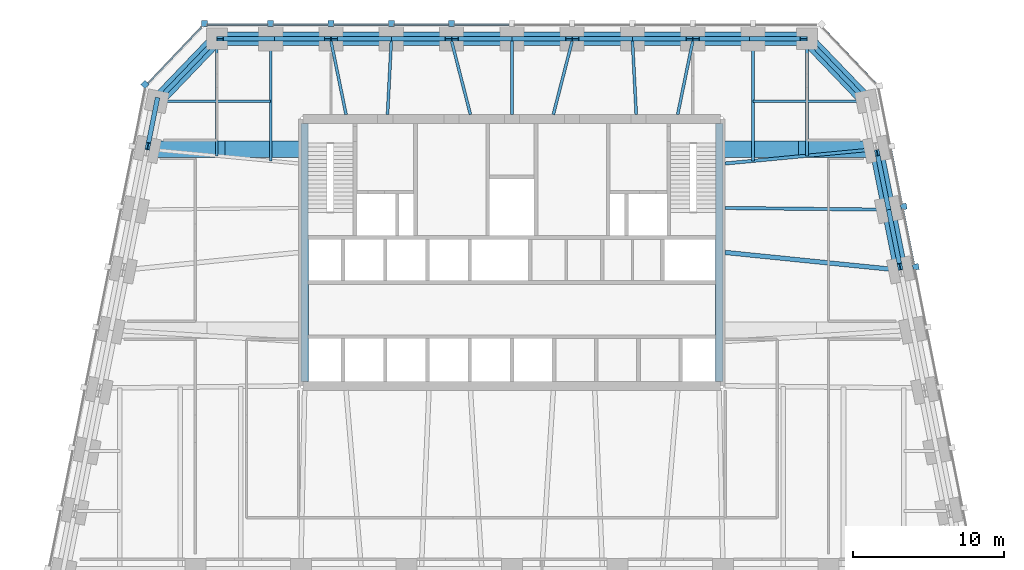
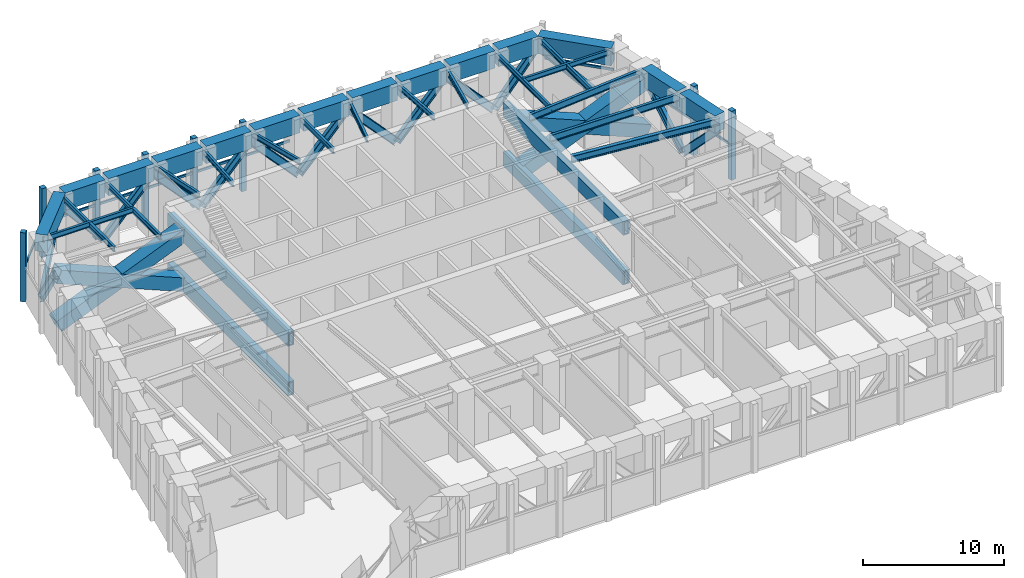
# One storey, part 4 of 9: 36 members, 34 beams, 4 elements without a shape of their own.
"""IFC4 building model written with IfcOpenShell, lengths in metres."""

from ifc_helpers import new_model, si_unit, direction, frame, origin, origin_2d, place, context, subcontext, project, spatial, rectangle, hollow_rectangle, i_section, extrude, material, material_profile, profile_set, type_object, element, aggregate, save


model = new_model("IFC4")

# Units and contexts
model_context = context("Model", 3, precision=1e-05, world=origin(), true_north=direction((0.0, 1.0)))
body_context = subcontext(model_context, "Body", "Model", "MODEL_VIEW")
ifc_project = project(units=[si_unit("LENGTHUNIT", "METRE"), si_unit("AREAUNIT", "SQUARE_METRE"), si_unit("VOLUMEUNIT", "CUBIC_METRE"), si_unit("PLANEANGLEUNIT", "RADIAN"), si_unit("MASSUNIT", "GRAM", prefix="KILO")], contexts=[model_context])

# Site, building, storey
site_placement = place(None, origin())
site = spatial("IfcSite", under=ifc_project, at=site_placement, CompositionType="ELEMENT")
building_placement = place(site_placement, origin())
building = spatial("IfcBuilding", under=site, at=building_placement, Name="Isbrekke Arena Tower", CompositionType="ELEMENT")
storey_placement = place(building_placement, frame((0.0, 0.0, 242.0)))
storey = spatial("IfcBuildingStorey", under=building, at=storey_placement, Name="L56", CompositionType="ELEMENT", Elevation=242.0)

# Beams
ifc_material_1 = material(Name="Steel S355", Category="steel")
ifc_material_profile_1 = material_profile(ifc_material_1, i_section(OverallWidth=0.219970703125, OverallDepth=0.60009765625, WebThickness=0.011962890625, FlangeThickness=0.01904296875, FilletRadius=0.02392578125, at=origin_2d()), Name="IPE 600")
ifc_profile_set_1 = profile_set([ifc_material_profile_1], Name="Steel S355")
beam_type_1 = type_object("IfcBeamType", Name="B1 IPE 600", PredefinedType="BEAM", material=ifc_profile_set_1)
beam_1_placement = place(storey_placement, frame((24.83984375, 17.838134765625, 5.550048828125), z_axis=(-0.999945299061, 0.010459392202, 0.0), x_axis=(-0.010459392202, -0.999945299061, 0.0)))
element("IfcBeam", 1, at=beam_1_placement, inside=storey, type_object=beam_type_1, Name="B1 beam E-E09 L56", PredefinedType="BEAM", context=body_context, shape_type="SweptSolid", body=[
    extrude(i_section(OverallWidth=0.219970703125, OverallDepth=0.60009765625, WebThickness=0.011962890625, FlangeThickness=0.01904296875, FilletRadius=0.02392578125, at=origin_2d()), origin(), (0.0, 0.0, 1.0), 10.6904296875),
])
beam_2_placement = place(storey_placement, frame((24.03076171875, 21.837158203125, 5.550048828125), z_axis=(-0.99553133081, -0.094431823952, 0.0), x_axis=(0.094431823952, -0.99553133081, 0.0)))
element("IfcBeam", 2, at=beam_2_placement, inside=storey, type_object=beam_type_1, Name="B1 beam E-E10 L56", PredefinedType="BEAM", context=body_context, shape_type="SweptSolid", body=[
    extrude(i_section(OverallWidth=0.219970703125, OverallDepth=0.60009765625, WebThickness=0.011962890625, FlangeThickness=0.01904296875, FilletRadius=0.02392578125, at=origin_2d()), origin(), (0.0, 0.0, 1.0), 9.92529296875),
])
ifc_material_2 = material(Name="Steel S355", Category="steel")
ifc_material_profile_2 = material_profile(ifc_material_2, i_section(OverallWidth=0.18994140625, OverallDepth=0.449951171875, WebThickness=0.009521484375, FlangeThickness=0.0146484375, FilletRadius=0.02099609375, at=origin_2d()), Name="IPE 450")
ifc_profile_set_2 = profile_set([ifc_material_profile_2], Name="Steel S355")
beam_type_2 = type_object("IfcBeamType", Name="B2 IPE 450", PredefinedType="BEAM", material=ifc_profile_set_2)
for number, where, z_axis, x_axis, name in (
    (3, (23.40283203125, 25.029296875, 5.625), (-1.0, 0.0, 0.0), (0.0, -1.0, 0.0), "B2 beam E-E11 L56"),
    (4, (-23.40283203125, 25.029296875, 5.625), (1.0, 0.0, 0.0), (0.0, 1.0, 0.0), "B2 beam E-W01 L56"),
):
    element("IfcBeam", number, at=place(storey_placement, frame(where, z_axis=z_axis, x_axis=x_axis)), inside=storey, type_object=beam_type_2, Name=name, PredefinedType="BEAM", context=body_context, shape_type="SweptSolid", body=[
        extrude(i_section(OverallWidth=0.18994140625, OverallDepth=0.449951171875, WebThickness=0.009521484375, FlangeThickness=0.0146484375, FilletRadius=0.02099609375, at=origin_2d()), origin(), (0.0, 0.0, 1.0), 7.40283203125),
    ])
ifc_material_3 = material(Name="Steel S355", Category="steel")
ifc_material_profile_3 = material_profile(ifc_material_3, i_section(OverallWidth=0.18994140625, OverallDepth=0.449951171875, WebThickness=0.009521484375, FlangeThickness=0.0146484375, FilletRadius=0.02099609375, at=origin_2d()), Name="IPE 450")
ifc_profile_set_3 = profile_set([ifc_material_profile_3], Name="Steel S355")
beam_type_3 = type_object("IfcBeamType", Name="B3 IPE 450", PredefinedType="BEAM", material=ifc_profile_set_3)
beam_3_placement = place(storey_placement, frame((19.574951171875, 29.02490234375, 5.625), z_axis=(0.0, -1.0, 0.0), x_axis=(1.0, 0.0, 0.0)))
element("IfcBeam", 5, at=beam_3_placement, inside=storey, type_object=beam_type_3, Name="B3 beam N-N01 L56", PredefinedType="BEAM", context=body_context, shape_type="SweptSolid", body=[
    extrude(i_section(OverallWidth=0.18994140625, OverallDepth=0.449951171875, WebThickness=0.009521484375, FlangeThickness=0.0146484375, FilletRadius=0.02099609375, at=origin_2d()), origin(), (0.0, 0.0, 1.0), 7.6103515625),
])
for number, where, z_axis, x_axis, name in (
    (6, (16.0, 29.02490234375, 5.625), (0.0, -1.0, 0.0), (1.0, 0.0, 0.0), "B3 beam N-N02 L56"),
    (7, (-16.0, 29.02490234375, 5.625), (0.0, -1.0, 0.0), (1.0, 0.0, 0.0), "B3 beam N-N10 L56"),
):
    element("IfcBeam", number, at=place(storey_placement, frame(where, z_axis=z_axis, x_axis=x_axis)), inside=storey, type_object=beam_type_3, Name=name, PredefinedType="BEAM", context=body_context, shape_type="SweptSolid", body=[
        extrude(i_section(OverallWidth=0.18994140625, OverallDepth=0.449951171875, WebThickness=0.009521484375, FlangeThickness=0.0146484375, FilletRadius=0.02099609375, at=origin_2d()), origin(), (0.0, 0.0, 1.0), 7.949462890625),
    ])
beam_4_placement = place(storey_placement, frame((-19.574951171875, 29.02490234375, 5.625), z_axis=(0.0, -1.0, 0.0), x_axis=(1.0, 0.0, 0.0)))
element("IfcBeam", 8, at=beam_4_placement, inside=storey, type_object=beam_type_3, Name="B3 beam N-N11 L56", PredefinedType="BEAM", context=body_context, shape_type="SweptSolid", body=[
    extrude(i_section(OverallWidth=0.18994140625, OverallDepth=0.449951171875, WebThickness=0.009521484375, FlangeThickness=0.0146484375, FilletRadius=0.02099609375, at=origin_2d()), origin(), (0.0, 0.0, 1.0), 7.6103515625),
])
beam_5_placement = place(storey_placement, frame((11.99609375, 29.00634765625, 5.625), z_axis=(-0.200924755878, -0.979606677435, 0.0), x_axis=(0.979606677435, -0.200924755878, 0.0)))
element("IfcBeam", 9, at=beam_5_placement, inside=storey, type_object=beam_type_3, Name="B3 beam N-N03 L56", PredefinedType="BEAM", context=body_context, shape_type="SweptSolid", body=[
    extrude(i_section(OverallWidth=0.18994140625, OverallDepth=0.449951171875, WebThickness=0.009521484375, FlangeThickness=0.0146484375, FilletRadius=0.02099609375, at=origin_2d()), origin(), (0.0, 0.0, 1.0), 4.95751953125),
])
beam_6_placement = place(storey_placement, frame((8.000244140625, 29.02001953125, 5.625), z_axis=(0.051216032312, -0.998687597817, 0.0), x_axis=(0.998687597817, 0.051216032312, 0.0)))
element("IfcBeam", 10, at=beam_6_placement, inside=storey, type_object=beam_type_3, Name="B3 beam N-N04 L56", PredefinedType="BEAM", context=body_context, shape_type="SweptSolid", body=[
    extrude(i_section(OverallWidth=0.18994140625, OverallDepth=0.449951171875, WebThickness=0.009521484375, FlangeThickness=0.0146484375, FilletRadius=0.02099609375, at=origin_2d()), origin(), (0.0, 0.0, 1.0), 4.87646484375),
])
beam_7_placement = place(storey_placement, frame((3.994140625, 29.002197265625, 5.625), z_axis=(-0.248368314686, -0.968665670012, 0.0), x_axis=(0.968665670012, -0.248368314686, 0.0)))
element("IfcBeam", 11, at=beam_7_placement, inside=storey, type_object=beam_type_3, Name="B3 beam N-N05 L56", PredefinedType="BEAM", context=body_context, shape_type="SweptSolid", body=[
    extrude(i_section(OverallWidth=0.18994140625, OverallDepth=0.449951171875, WebThickness=0.009521484375, FlangeThickness=0.0146484375, FilletRadius=0.02099609375, at=origin_2d()), origin(), (0.0, 0.0, 1.0), 5.00927734375),
])
beam_8_placement = place(storey_placement, frame((0.0, 29.02490234375, 5.625), z_axis=(0.0, -1.0, 0.0), x_axis=(1.0, 0.0, 0.0)))
element("IfcBeam", 12, at=beam_8_placement, inside=storey, type_object=beam_type_3, Name="B3 beam N-N06 L56", PredefinedType="BEAM", context=body_context, shape_type="SweptSolid", body=[
    extrude(i_section(OverallWidth=0.18994140625, OverallDepth=0.449951171875, WebThickness=0.009521484375, FlangeThickness=0.0146484375, FilletRadius=0.02099609375, at=origin_2d()), origin(), (0.0, 0.0, 1.0), 4.875),
])
beam_9_placement = place(storey_placement, frame((-3.994140625, 29.002197265625, 5.625), z_axis=(0.248368314686, -0.968665670012, 0.0), x_axis=(0.968665670012, 0.248368314686, 0.0)))
element("IfcBeam", 13, at=beam_9_placement, inside=storey, type_object=beam_type_3, Name="B3 beam N-N07 L56", PredefinedType="BEAM", context=body_context, shape_type="SweptSolid", body=[
    extrude(i_section(OverallWidth=0.18994140625, OverallDepth=0.449951171875, WebThickness=0.009521484375, FlangeThickness=0.0146484375, FilletRadius=0.02099609375, at=origin_2d()), origin(), (0.0, 0.0, 1.0), 5.00927734375),
])
beam_10_placement = place(storey_placement, frame((-8.000244140625, 29.02001953125, 5.625), z_axis=(-0.051216032312, -0.998687597817, 0.0), x_axis=(0.998687597817, -0.051216032312, 0.0)))
element("IfcBeam", 14, at=beam_10_placement, inside=storey, type_object=beam_type_3, Name="B3 beam N-N08 L56", PredefinedType="BEAM", context=body_context, shape_type="SweptSolid", body=[
    extrude(i_section(OverallWidth=0.18994140625, OverallDepth=0.449951171875, WebThickness=0.009521484375, FlangeThickness=0.0146484375, FilletRadius=0.02099609375, at=origin_2d()), origin(), (0.0, 0.0, 1.0), 4.87646484375),
])
beam_11_placement = place(storey_placement, frame((-11.99609375, 29.00634765625, 5.625), z_axis=(0.200924755878, -0.979606677435, 0.0), x_axis=(0.979606677435, 0.200924755878, 0.0)))
element("IfcBeam", 15, at=beam_11_placement, inside=storey, type_object=beam_type_3, Name="B3 beam N-N09 L56", PredefinedType="BEAM", context=body_context, shape_type="SweptSolid", body=[
    extrude(i_section(OverallWidth=0.18994140625, OverallDepth=0.449951171875, WebThickness=0.009521484375, FlangeThickness=0.0146484375, FilletRadius=0.02099609375, at=origin_2d()), origin(), (0.0, 0.0, 1.0), 4.95751953125),
])
ifc_material_4 = material(Name="Steel S355", Category="steel")
ifc_material_profile_4 = material_profile(ifc_material_4, i_section(OverallWidth=0.300048828125, OverallDepth=0.60009765625, WebThickness=0.015380859375, FlangeThickness=0.030029296875, FilletRadius=0.027099609375, at=origin_2d()), Name="HEB 600")
ifc_profile_set_4 = profile_set([ifc_material_profile_4], Name="Steel S355")
beam_type_4 = type_object("IfcBeamType", Name="B7 HEB 600", PredefinedType="BEAM", material=ifc_profile_set_4)
beam_12_placement = place(storey_placement, frame((25.6259765625, 13.83984375, 5.550048828125), z_axis=(-0.994928891111, 0.100580821396, 0.0), x_axis=(-0.100580821396, -0.994928891111, 0.0)))
element("IfcBeam", 16, at=beam_12_placement, inside=storey, type_object=beam_type_4, Name="B7 beam E-E08 L56", PredefinedType="BEAM", context=body_context, shape_type="SweptSolid", body=[
    extrude(i_section(OverallWidth=0.300048828125, OverallDepth=0.60009765625, WebThickness=0.015380859375, FlangeThickness=0.030029296875, FilletRadius=0.027099609375, at=origin_2d()), origin(), (0.0, 0.0, 1.0), 11.53466796875),
])

# Members
ifc_material_5 = material(Name="Steel S355", Category="steel")
ifc_material_profile_5 = material_profile(ifc_material_5, i_section(OverallWidth=0.304931640625, OverallDepth=0.6201171875, WebThickness=0.02099609375, FlangeThickness=0.0400390625, FilletRadius=0.027099609375, at=origin_2d()), Name="HEM 600")
ifc_profile_set_5 = profile_set([ifc_material_profile_5], Name="Steel S355")
member_type_1 = type_object("IfcMemberType", Name="BT1 HEM 600", PredefinedType="BRACE", material=ifc_profile_set_5)
for number, where, z_axis, x_axis, name in (
    (17, (25.748046875, 14.052734375, 4.66943359375), (-0.134973713861, 0.674868569303, -0.725489152734), (-0.980580675691, -0.196116135138, 0.0), "BT1 belt truss diagonal E08 L56"),
    (18, (24.990966796875, 17.838134765625, 0.60009765625), (-0.134973713861, 0.674868569303, 0.725489152734), (-0.980580675691, -0.196116135138, 0.0), "BT1 belt truss diagonal E09 L56"),
):
    element("IfcMember", number, at=place(storey_placement, frame(where, z_axis=z_axis, x_axis=x_axis)), inside=storey, type_object=member_type_1, Name=name, PredefinedType="BRACE", context=body_context, shape_type="SweptSolid", body=[
        extrude(i_section(OverallWidth=0.304931640625, OverallDepth=0.6201171875, WebThickness=0.02099609375, FlangeThickness=0.0400390625, FilletRadius=0.027099609375, at=origin_2d()), origin(), (0.0, 0.0, 1.0), 5.609130859375),
    ])
member_1_placement = place(storey_placement, frame((23.552734375, 25.029296875, 0.60009765625), z_axis=(-0.554282836037, 0.577708728276, 0.599185416168), x_axis=(-0.721585439536, -0.692325395641, 0.0)))
element("IfcMember", 19, at=member_1_placement, inside=storey, type_object=member_type_1, Name="BT1 belt truss diagonal E11 L56", PredefinedType="BRACE", context=body_context, shape_type="SweptSolid", body=[
    extrude(i_section(OverallWidth=0.304931640625, OverallDepth=0.6201171875, WebThickness=0.02099609375, FlangeThickness=0.0400390625, FilletRadius=0.027099609375, at=origin_2d()), origin(), (0.0, 0.0, 1.0), 6.888916015625),
])
member_2_placement = place(storey_placement, frame((19.361083984375, 29.175048828125, 4.642578125), z_axis=(-0.639325259452, 0.0, -0.768936416504), x_axis=(0.0, -1.0, 0.0)))
element("IfcMember", 20, at=member_2_placement, inside=storey, type_object=member_type_1, Name="BT1 belt truss diagonal N01 L56", PredefinedType="BRACE", context=body_context, shape_type="SweptSolid", body=[
    extrude(i_section(OverallWidth=0.304931640625, OverallDepth=0.6201171875, WebThickness=0.02099609375, FlangeThickness=0.0400390625, FilletRadius=0.027099609375, at=origin_2d()), origin(), (0.0, 0.0, 1.0), 5.25732421875),
])
for number, where, z_axis, x_axis, name in (
    (21, (16.0, 29.175048828125, 0.60009765625), (-0.681122032107, 0.0, 0.732169910183), (0.0, -1.0, 0.0), "BT1 belt truss diagonal N02 L56"),
    (22, (11.781982421875, 29.175048828125, 4.66552734375), (-0.681122032107, 0.0, -0.732169910183), (0.0, -1.0, 0.0), "BT1 belt truss diagonal N03 L56"),
    (23, (8.0, 29.175048828125, 0.60009765625), (-0.681122032107, 0.0, 0.732169910183), (0.0, -1.0, 0.0), "BT1 belt truss diagonal N04 L56"),
    (24, (3.781982421875, 29.175048828125, 4.66552734375), (-0.681122032107, 0.0, -0.732169910183), (0.0, -1.0, 0.0), "BT1 belt truss diagonal N05 L56"),
    (25, (0.0, 29.175048828125, 0.60009765625), (-0.681122032107, 0.0, 0.732169910183), (0.0, -1.0, 0.0), "BT1 belt truss diagonal N06 L56"),
    (26, (-4.218017578125, 29.175048828125, 4.66552734375), (-0.681122032107, 0.0, -0.732169910183), (0.0, -1.0, 0.0), "BT1 belt truss diagonal N07 L56"),
    (27, (-8.0, 29.175048828125, 0.60009765625), (-0.681122032107, 0.0, 0.732169910183), (0.0, -1.0, 0.0), "BT1 belt truss diagonal N08 L56"),
    (28, (-12.218017578125, 29.175048828125, 4.66552734375), (-0.681122032107, 0.0, -0.732169910183), (0.0, -1.0, 0.0), "BT1 belt truss diagonal N09 L56"),
):
    element("IfcMember", number, at=place(storey_placement, frame(where, z_axis=z_axis, x_axis=x_axis)), inside=storey, type_object=member_type_1, Name=name, PredefinedType="BRACE", context=body_context, shape_type="SweptSolid", body=[
        extrude(i_section(OverallWidth=0.304931640625, OverallDepth=0.6201171875, WebThickness=0.02099609375, FlangeThickness=0.0400390625, FilletRadius=0.027099609375, at=origin_2d()), origin(), (0.0, 0.0, 1.0), 5.552490234375),
    ])
member_3_placement = place(storey_placement, frame((-16.0, 29.175048828125, 0.60009765625), z_axis=(-0.639325259452, 0.0, 0.768936416504), x_axis=(0.0, -1.0, 0.0)))
element("IfcMember", 29, at=member_3_placement, inside=storey, type_object=member_type_1, Name="BT1 belt truss diagonal N10 L56", PredefinedType="BRACE", context=body_context, shape_type="SweptSolid", body=[
    extrude(i_section(OverallWidth=0.304931640625, OverallDepth=0.6201171875, WebThickness=0.02099609375, FlangeThickness=0.0400390625, FilletRadius=0.027099609375, at=origin_2d()), origin(), (0.0, 0.0, 1.0), 5.25732421875),
])
member_4_placement = place(storey_placement, frame((-19.734375, 29.009033203125, 4.727783203125), z_axis=(-0.554282836037, -0.577708728276, -0.599185416168), x_axis=(0.721585439536, -0.692325395641, 0.0)))
element("IfcMember", 30, at=member_4_placement, inside=storey, type_object=member_type_1, Name="BT1 belt truss diagonal N11 L56", PredefinedType="BRACE", context=body_context, shape_type="SweptSolid", body=[
    extrude(i_section(OverallWidth=0.304931640625, OverallDepth=0.6201171875, WebThickness=0.02099609375, FlangeThickness=0.0400390625, FilletRadius=0.027099609375, at=origin_2d()), origin(), (0.0, 0.0, 1.0), 6.888916015625),
])
member_5_placement = place(storey_placement, frame((-23.552734375, 25.029296875, 0.60009765625), z_axis=(-0.118343216485, -0.591764484557, 0.797376747798), x_axis=(0.980583760369, -0.196100711116, 0.0)))
element("IfcMember", 31, at=member_5_placement, inside=storey, type_object=member_type_1, Name="BT1 belt truss diagonal W01 L56", PredefinedType="BRACE", context=body_context, shape_type="SweptSolid", body=[
    extrude(i_section(OverallWidth=0.304931640625, OverallDepth=0.6201171875, WebThickness=0.02099609375, FlangeThickness=0.0400390625, FilletRadius=0.027099609375, at=origin_2d()), origin(), (0.0, 0.0, 1.0), 5.0439453125),
])

# Curtain wall, members
ifc_material_6 = material(Name="Glazed aluminium curtain wall", Category="aluminium")
curtain_wall_type = type_object("IfcCurtainWallType", Name="CWR PLANT LOUVRE WALL", PredefinedType="USERDEFINED", material=ifc_material_6)
curtain_wall_1_placement = place(storey_placement, origin())
curtain_wall_1 = element("IfcCurtainWall", 32, at=curtain_wall_1_placement, inside=storey, type_object=curtain_wall_type, Name="CWR curtain wall L56-E", ObjectType="PLANT LOUVRE WALL", PredefinedType="USERDEFINED")
ifc_material_7 = material(Name="Aluminium mullion, pale brick slip cladding", Category="masonry")
ifc_material_profile_6 = material_profile(ifc_material_7, rectangle(XDim=0.39990234375, YDim=0.39990234375, at=origin_2d()), Name="PIER 400X400")
ifc_profile_set_6 = profile_set([ifc_material_profile_6], Name="Aluminium mullion, pale brick slip cladding")
member_type_2 = type_object("IfcMemberType", Name="CWR-M PIER MULLION 400 x 400", PredefinedType="MULLION", material=ifc_profile_set_6)
member_6_placement = place(storey_placement, frame((26.796142578125, 14.039306640625, 0.0), z_axis=(0.0, 0.0, 1.0), x_axis=(-0.196116135138, 0.980580675691, 0.0)))
member_6 = element("IfcMember", 33, at=member_6_placement, type_object=member_type_2, Name="CWR-M mullion 7", PredefinedType="MULLION", context=body_context, shape_type="SweptSolid", body=[
    extrude(rectangle(XDim=0.39990234375, YDim=0.39990234375, at=origin_2d()), origin(), (0.0, 0.0, 1.0), 6.0),
])
member_7_placement = place(storey_placement, frame((25.99609375, 18.039306640625, 0.0), z_axis=(0.0, 0.0, 1.0), x_axis=(-0.196116135138, 0.980580675691, 0.0)))
member_7 = element("IfcMember", 34, at=member_7_placement, type_object=member_type_2, Name="CWR-M mullion 8", PredefinedType="MULLION", context=body_context, shape_type="SweptSolid", body=[
    extrude(rectangle(XDim=0.39990234375, YDim=0.39990234375, at=origin_2d()), origin(), (0.0, 0.0, 1.0), 6.0),
])

curtain_wall_2_placement = place(storey_placement, origin())
curtain_wall_2 = element("IfcCurtainWall", 35, at=curtain_wall_2_placement, inside=storey, type_object=curtain_wall_type, Name="CWR curtain wall L56-N", ObjectType="PLANT LOUVRE WALL", PredefinedType="USERDEFINED")
member_8_placement = place(storey_placement, frame((-4.0, 30.199951171875, 0.0), z_axis=(0.0, 0.0, 1.0), x_axis=(-1.0, 0.0, 0.0)))
member_8 = element("IfcMember", 36, at=member_8_placement, type_object=member_type_2, Name="CWR-M mullion 6", PredefinedType="MULLION", context=body_context, shape_type="SweptSolid", body=[
    extrude(rectangle(XDim=0.39990234375, YDim=0.39990234375, at=origin_2d()), origin(), (0.0, 0.0, 1.0), 6.0),
])
member_9_placement = place(storey_placement, frame((-8.0, 30.199951171875, 0.0), z_axis=(0.0, 0.0, 1.0), x_axis=(-1.0, 0.0, 0.0)))
member_9 = element("IfcMember", 37, at=member_9_placement, type_object=member_type_2, Name="CWR-M mullion 7", PredefinedType="MULLION", context=body_context, shape_type="SweptSolid", body=[
    extrude(rectangle(XDim=0.39990234375, YDim=0.39990234375, at=origin_2d()), origin(), (0.0, 0.0, 1.0), 6.0),
])
member_10_placement = place(storey_placement, frame((-12.0, 30.199951171875, 0.0), z_axis=(0.0, 0.0, 1.0), x_axis=(-1.0, 0.0, 0.0)))
member_10 = element("IfcMember", 38, at=member_10_placement, type_object=member_type_2, Name="CWR-M mullion 8", PredefinedType="MULLION", context=body_context, shape_type="SweptSolid", body=[
    extrude(rectangle(XDim=0.39990234375, YDim=0.39990234375, at=origin_2d()), origin(), (0.0, 0.0, 1.0), 6.0),
])
member_11_placement = place(storey_placement, frame((-16.0, 30.199951171875, 0.0), z_axis=(0.0, 0.0, 1.0), x_axis=(-1.0, 0.0, 0.0)))
member_11 = element("IfcMember", 39, at=member_11_placement, type_object=member_type_2, Name="CWR-M mullion 9", PredefinedType="MULLION", context=body_context, shape_type="SweptSolid", body=[
    extrude(rectangle(XDim=0.39990234375, YDim=0.39990234375, at=origin_2d()), origin(), (0.0, 0.0, 1.0), 6.0),
])
member_12_placement = place(storey_placement, frame((-20.39990234375, 30.199951171875, 0.0), z_axis=(0.0, 0.0, 1.0), x_axis=(-1.0, 0.0, 0.0)))
member_12 = element("IfcMember", 40, at=member_12_placement, type_object=member_type_2, Name="CWR-M mullion 10", PredefinedType="MULLION", context=body_context, shape_type="SweptSolid", body=[
    extrude(rectangle(XDim=0.39990234375, YDim=0.39990234375, at=origin_2d()), origin(), (0.0, 0.0, 1.0), 6.0),
])

# Curtain wall, member
curtain_wall_3_placement = place(storey_placement, origin())
curtain_wall_3 = element("IfcCurtainWall", 41, at=curtain_wall_3_placement, inside=storey, type_object=curtain_wall_type, Name="CWR curtain wall L56-NW", ObjectType="PLANT LOUVRE WALL", PredefinedType="USERDEFINED")
member_13_placement = place(storey_placement, frame((-24.344970703125, 26.1376953125, 0.0), z_axis=(0.0, 0.0, 1.0), x_axis=(-0.68874946192, -0.72499943359, 0.0)))
member_13 = element("IfcMember", 42, at=member_13_placement, type_object=member_type_2, Name="CWR-M mullion 1", PredefinedType="MULLION", context=body_context, shape_type="SweptSolid", body=[
    extrude(rectangle(XDim=0.39990234375, YDim=0.39990234375, at=origin_2d()), origin(), (0.0, 0.0, 1.0), 6.0),
])

# Member
ifc_material_8 = material(Name="Aluminium transom", Category="aluminium")
ifc_material_profile_7 = material_profile(ifc_material_8, rectangle(XDim=0.1201171875, YDim=0.199951171875, at=origin_2d()), Name="TRANSOM 120X200")
ifc_profile_set_7 = profile_set([ifc_material_profile_7], Name="Aluminium transom")
member_type_3 = type_object("IfcMemberType", Name="CWR-T TRANSOM 120 x 200", PredefinedType="USERDEFINED", material=ifc_profile_set_7)
member_14_placement = place(storey_placement, frame((26.658935546875, 14.2158203125, 3.0), z_axis=(-0.196154418484, 0.980573018245, 0.0), x_axis=(-0.980573018245, -0.196154418484, 0.0)))
member_14 = element("IfcMember", 43, at=member_14_placement, type_object=member_type_3, Name="CWR-T transom 8", ObjectType="TRANSOM", PredefinedType="USERDEFINED", context=body_context, shape_type="SweptSolid", body=[
    extrude(rectangle(XDim=0.1201171875, YDim=0.199951171875, at=origin_2d()), origin(), (0.0, 0.0, 1.0), 3.67919921875),
])

member_15_placement = place(storey_placement, frame((25.85888671875, 18.2158203125, 3.0), z_axis=(-0.196154418484, 0.980573018245, 0.0), x_axis=(-0.980573018245, -0.196154418484, 0.0)))
member_15 = element("IfcMember", 44, at=member_15_placement, type_object=member_type_3, Name="CWR-T transom 9", ObjectType="TRANSOM", PredefinedType="USERDEFINED", context=body_context, shape_type="SweptSolid", body=[
    extrude(rectangle(XDim=0.1201171875, YDim=0.199951171875, at=origin_2d()), origin(), (0.0, 0.0, 1.0), 3.67919921875),
])

aggregate(curtain_wall_1, [member_6, member_7, member_14, member_15])

# Curtain wall, member
curtain_wall_4_placement = place(storey_placement, origin())
curtain_wall_4 = element("IfcCurtainWall", 45, at=curtain_wall_4_placement, inside=storey, type_object=curtain_wall_type, Name="CWR curtain wall L56-EN", ObjectType="PLANT LOUVRE WALL", PredefinedType="USERDEFINED")
member_16_placement = place(storey_placement, frame((24.134765625, 26.2138671875, 3.0), z_axis=(-0.688744446371, 0.725004198328, 0.0), x_axis=(-0.725004198328, -0.688744446371, 0.0)))
member_16 = element("IfcMember", 46, at=member_16_placement, type_object=member_type_3, Name="CWR-T transom 1", ObjectType="TRANSOM", PredefinedType="USERDEFINED", context=body_context, shape_type="SweptSolid", body=[
    extrude(rectangle(XDim=0.1201171875, YDim=0.199951171875, at=origin_2d()), origin(), (0.0, 0.0, 1.0), 5.1171875),
])
aggregate(curtain_wall_4, [member_16])

# Member
member_17_placement = place(storey_placement, frame((-0.199951171875, 30.10009765625, 3.0), z_axis=(-1.0, 0.0, 0.0), x_axis=(0.0, -1.0, 0.0)))
member_17 = element("IfcMember", 47, at=member_17_placement, type_object=member_type_3, Name="CWR-T transom 6", ObjectType="TRANSOM", PredefinedType="USERDEFINED", context=body_context, shape_type="SweptSolid", body=[
    extrude(rectangle(XDim=0.1201171875, YDim=0.199951171875, at=origin_2d()), origin(), (0.0, 0.0, 1.0), 3.60009765625),
])

member_18_placement = place(storey_placement, frame((-4.199951171875, 30.10009765625, 3.0), z_axis=(-1.0, 0.0, 0.0), x_axis=(0.0, -1.0, 0.0)))
member_18 = element("IfcMember", 48, at=member_18_placement, type_object=member_type_3, Name="CWR-T transom 7", ObjectType="TRANSOM", PredefinedType="USERDEFINED", context=body_context, shape_type="SweptSolid", body=[
    extrude(rectangle(XDim=0.1201171875, YDim=0.199951171875, at=origin_2d()), origin(), (0.0, 0.0, 1.0), 3.60009765625),
])

member_19_placement = place(storey_placement, frame((-8.199951171875, 30.10009765625, 3.0), z_axis=(-1.0, 0.0, 0.0), x_axis=(0.0, -1.0, 0.0)))
member_19 = element("IfcMember", 49, at=member_19_placement, type_object=member_type_3, Name="CWR-T transom 8", ObjectType="TRANSOM", PredefinedType="USERDEFINED", context=body_context, shape_type="SweptSolid", body=[
    extrude(rectangle(XDim=0.1201171875, YDim=0.199951171875, at=origin_2d()), origin(), (0.0, 0.0, 1.0), 3.60009765625),
])

member_20_placement = place(storey_placement, frame((-12.199951171875, 30.10009765625, 3.0), z_axis=(-1.0, 0.0, 0.0), x_axis=(0.0, -1.0, 0.0)))
member_20 = element("IfcMember", 50, at=member_20_placement, type_object=member_type_3, Name="CWR-T transom 9", ObjectType="TRANSOM", PredefinedType="USERDEFINED", context=body_context, shape_type="SweptSolid", body=[
    extrude(rectangle(XDim=0.1201171875, YDim=0.199951171875, at=origin_2d()), origin(), (0.0, 0.0, 1.0), 3.60009765625),
])

member_21_placement = place(storey_placement, frame((-16.199951171875, 30.10009765625, 3.0), z_axis=(-1.0, 0.0, 0.0), x_axis=(0.0, -1.0, 0.0)))
member_21 = element("IfcMember", 51, at=member_21_placement, type_object=member_type_3, Name="CWR-T transom 10", ObjectType="TRANSOM", PredefinedType="USERDEFINED", context=body_context, shape_type="SweptSolid", body=[
    extrude(rectangle(XDim=0.1201171875, YDim=0.199951171875, at=origin_2d()), origin(), (0.0, 0.0, 1.0), 4.0),
])

aggregate(curtain_wall_2, [member_8, member_9, member_10, member_11, member_12, member_17, member_18, member_19, member_20, member_21])

member_22_placement = place(storey_placement, frame((-20.6103515625, 29.923828125, 3.0), z_axis=(-0.688744446371, -0.725004198328, 0.0), x_axis=(0.725004198328, -0.688744446371, 0.0)))
member_22 = element("IfcMember", 52, at=member_22_placement, type_object=member_type_3, Name="CWR-T transom 1", ObjectType="TRANSOM", PredefinedType="USERDEFINED", context=body_context, shape_type="SweptSolid", body=[
    extrude(rectangle(XDim=0.1201171875, YDim=0.199951171875, at=origin_2d()), origin(), (0.0, 0.0, 1.0), 5.1171875),
])

aggregate(curtain_wall_3, [member_13, member_22])

# Beams
ifc_material_9 = material(Name="Steel S460", Category="steel")
ifc_material_profile_8 = material_profile(ifc_material_9, hollow_rectangle(XDim=0.5, YDim=1.199951171875, WallThickness=0.10009765625, at=origin_2d()), Name="BOX 500x1200x100")
ifc_profile_set_8 = profile_set([ifc_material_profile_8], Name="Steel S460")
beam_type_5 = type_object("IfcBeamType", Name="OC1 BOX 500x1200x100", PredefinedType="BEAM", material=ifc_profile_set_8)
for number, where, z_axis, x_axis, name in (
    (53, (13.75, 6.449951171875, 0.60009765625), (0.0, 1.0, 0.0), (-1.0, 0.0, 0.0), "OC1 outrigger cap beam E L56 1"),
    (54, (13.75, 6.449951171875, 4.89990234375), (0.0, 1.0, 0.0), (-1.0, 0.0, 0.0), "OC1 outrigger cap beam E L56 2"),
    (55, (-13.75, 6.449951171875, 0.60009765625), (0.0, 1.0, 0.0), (-1.0, 0.0, 0.0), "OC1 outrigger cap beam W L56 1"),
    (56, (-13.75, 6.449951171875, 4.89990234375), (0.0, 1.0, 0.0), (-1.0, 0.0, 0.0), "OC1 outrigger cap beam W L56 2"),
):
    element("IfcBeam", number, at=place(storey_placement, frame(where, z_axis=z_axis, x_axis=x_axis)), inside=storey, type_object=beam_type_5, Name=name, PredefinedType="BEAM", context=body_context, shape_type="SweptSolid", body=[
        extrude(hollow_rectangle(XDim=0.5, YDim=1.199951171875, WallThickness=0.10009765625, at=origin_2d()), origin(), (0.0, 0.0, 1.0), 17.0986328125),
    ])

# Members
ifc_material_10 = material(Name="Steel S460", Category="steel")
ifc_material_profile_9 = material_profile(ifc_material_10, hollow_rectangle(XDim=1.10009765625, YDim=1.10009765625, WallThickness=0.050048828125, at=origin_2d()), Name="BOX 1100x1100x50")
ifc_profile_set_9 = profile_set([ifc_material_profile_9], Name="Steel S460")
member_type_4 = type_object("IfcMemberType", Name="OT1 BOX 1100x1100x50", PredefinedType="BRACE", material=ifc_profile_set_9)
for number, where, z_axis, x_axis, name in (
    (57, (13.85009765625, 21.838134765625, 0.60009765625), (0.923357882569, 0.0, 0.383940386906), (0.0, 1.0, 0.0), "OT1 outrigger E L56 1"),
    (58, (13.85009765625, 21.838134765625, 4.89990234375), (0.923357882569, 0.0, -0.383940386906), (0.0, 1.0, 0.0), "OT1 outrigger E L56 2"),
    (59, (-13.85009765625, 21.838134765625, 0.60009765625), (-0.923357882569, 0.0, 0.383940386906), (0.0, -1.0, 0.0), "OT1 outrigger W L56 1"),
    (60, (-13.85009765625, 21.838134765625, 4.89990234375), (-0.923357882569, 0.0, -0.383940386906), (0.0, -1.0, 0.0), "OT1 outrigger W L56 2"),
):
    element("IfcMember", number, at=place(storey_placement, frame(where, z_axis=z_axis, x_axis=x_axis)), inside=storey, type_object=member_type_4, Name=name, PredefinedType="BRACE", context=body_context, shape_type="SweptSolid", body=[
        extrude(hollow_rectangle(XDim=1.10009765625, YDim=1.10009765625, WallThickness=0.050048828125, at=origin_2d()), origin(), (0.0, 0.0, 1.0), 11.19921875),
    ])

# Beams
ifc_material_11 = material(Name="Concrete B65 (C65/80)", Category="concrete")
ifc_material_profile_10 = material_profile(ifc_material_11, rectangle(XDim=0.89990234375, YDim=1.5, at=origin_2d()), Name="RC 900x1500")
ifc_profile_set_10 = profile_set([ifc_material_profile_10], Name="Concrete B65 (C65/80)")
beam_type_6 = type_object("IfcBeamType", Name="SB3 RC 900 x 1500", PredefinedType="SPANDREL", material=ifc_profile_set_10)
for number, where, z_axis, x_axis, name in (
    (61, (25.76171875, 13.9853515625, 5.25), (-0.196128558387, 0.980578190959, 0.0), (-0.980578190959, -0.196128558387, 0.0), "SB3 spandrel E08-E09 L56"),
    (62, (24.961669921875, 17.9853515625, 5.25), (-0.196128558387, 0.980578190959, 0.0), (-0.980578190959, -0.196128558387, 0.0), "SB3 spandrel E09-E10 L56"),
):
    element("IfcBeam", number, at=place(storey_placement, frame(where, z_axis=z_axis, x_axis=x_axis)), inside=storey, type_object=beam_type_6, Name=name, PredefinedType="SPANDREL", context=body_context, shape_type="SweptSolid", body=[
        extrude(rectangle(XDim=0.89990234375, YDim=1.5, at=origin_2d()), origin(), (0.0, 0.0, 1.0), 3.779296875),
    ])
beam_13_placement = place(storey_placement, frame((23.448974609375, 25.137451171875, 5.25), z_axis=(-0.692339547635, 0.721571861134, 0.0), x_axis=(-0.721571861134, -0.692339547635, 0.0)))
element("IfcBeam", 63, at=beam_13_placement, inside=storey, type_object=beam_type_6, Name="SB3 spandrel E11-N01 L56", PredefinedType="SPANDREL", context=body_context, shape_type="SweptSolid", body=[
    extrude(rectangle(XDim=0.89990234375, YDim=1.5, at=origin_2d()), origin(), (0.0, 0.0, 1.0), 5.4453125),
])
beam_14_placement = place(storey_placement, frame((19.425048828125, 29.175048828125, 5.25), z_axis=(-1.0, 0.0, 0.0), x_axis=(0.0, -1.0, 0.0)))
element("IfcBeam", 64, at=beam_14_placement, inside=storey, type_object=beam_type_6, Name="SB3 spandrel N01-N02 L56", PredefinedType="SPANDREL", context=body_context, shape_type="SweptSolid", body=[
    extrude(rectangle(XDim=0.89990234375, YDim=1.5, at=origin_2d()), origin(), (0.0, 0.0, 1.0), 3.275146484375),
])
for number, where, z_axis, x_axis, name in (
    (65, (15.85009765625, 29.175048828125, 5.25), (-1.0, 0.0, 0.0), (0.0, -1.0, 0.0), "SB3 spandrel N02-N03 L56"),
    (66, (11.85009765625, 29.175048828125, 5.25), (-1.0, 0.0, 0.0), (0.0, -1.0, 0.0), "SB3 spandrel N03-N04 L56"),
    (67, (7.85009765625, 29.175048828125, 5.25), (-1.0, 0.0, 0.0), (0.0, -1.0, 0.0), "SB3 spandrel N04-N05 L56"),
    (68, (3.85009765625, 29.175048828125, 5.25), (-1.0, 0.0, 0.0), (0.0, -1.0, 0.0), "SB3 spandrel N05-N06 L56"),
    (69, (-0.14990234375, 29.175048828125, 5.25), (-1.0, 0.0, 0.0), (0.0, -1.0, 0.0), "SB3 spandrel N06-N07 L56"),
    (70, (-4.14990234375, 29.175048828125, 5.25), (-1.0, 0.0, 0.0), (0.0, -1.0, 0.0), "SB3 spandrel N07-N08 L56"),
    (71, (-8.14990234375, 29.175048828125, 5.25), (-1.0, 0.0, 0.0), (0.0, -1.0, 0.0), "SB3 spandrel N08-N09 L56"),
    (72, (-12.14990234375, 29.175048828125, 5.25), (-1.0, 0.0, 0.0), (0.0, -1.0, 0.0), "SB3 spandrel N09-N10 L56"),
):
    element("IfcBeam", number, at=place(storey_placement, frame(where, z_axis=z_axis, x_axis=x_axis)), inside=storey, type_object=beam_type_6, Name=name, PredefinedType="SPANDREL", context=body_context, shape_type="SweptSolid", body=[
        extrude(rectangle(XDim=0.89990234375, YDim=1.5, at=origin_2d()), origin(), (0.0, 0.0, 1.0), 3.7001953125),
    ])
beam_15_placement = place(storey_placement, frame((-16.14990234375, 29.175048828125, 5.25), z_axis=(-1.0, 0.0, 0.0), x_axis=(0.0, -1.0, 0.0)))
element("IfcBeam", 73, at=beam_15_placement, inside=storey, type_object=beam_type_6, Name="SB3 spandrel N10-N11 L56", PredefinedType="SPANDREL", context=body_context, shape_type="SweptSolid", body=[
    extrude(rectangle(XDim=0.89990234375, YDim=1.5, at=origin_2d()), origin(), (0.0, 0.0, 1.0), 3.275146484375),
])
beam_16_placement = place(storey_placement, frame((-19.678955078125, 29.066650390625, 5.25), z_axis=(-0.692339547635, -0.721571861134, 0.0), x_axis=(0.721571861134, -0.692339547635, 0.0)))
element("IfcBeam", 74, at=beam_16_placement, inside=storey, type_object=beam_type_6, Name="SB3 spandrel N11-W01 L56", PredefinedType="SPANDREL", context=body_context, shape_type="SweptSolid", body=[
    extrude(rectangle(XDim=0.89990234375, YDim=1.5, at=origin_2d()), origin(), (0.0, 0.0, 1.0), 5.4453125),
])

save(model, "model.ifc")
